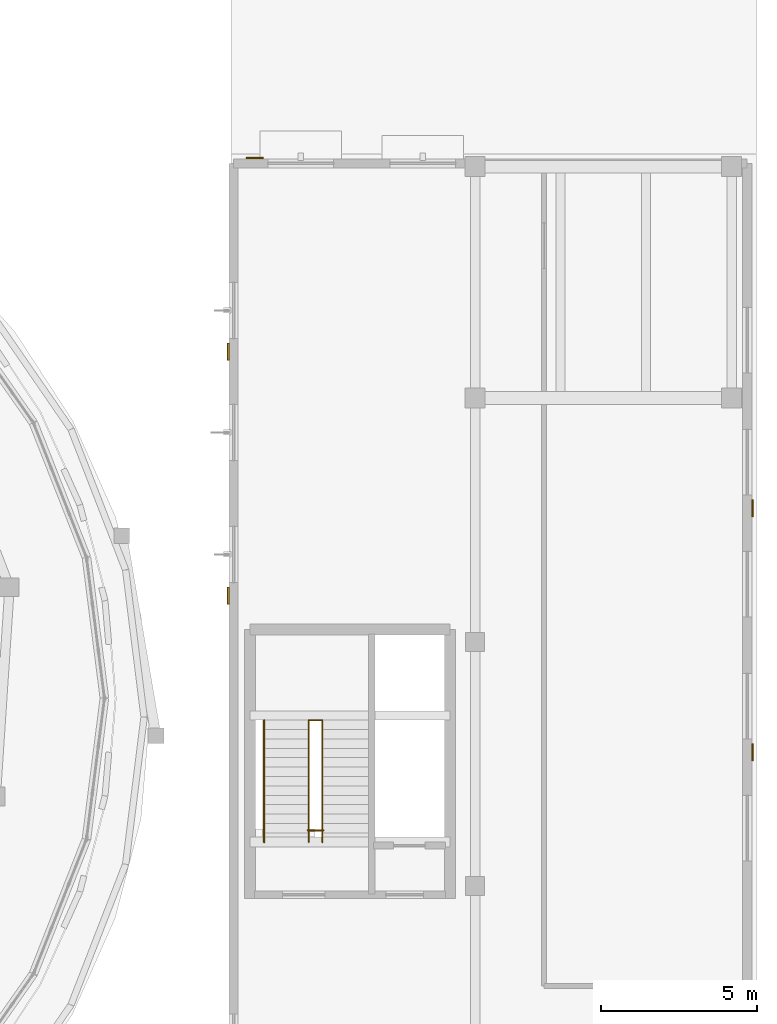
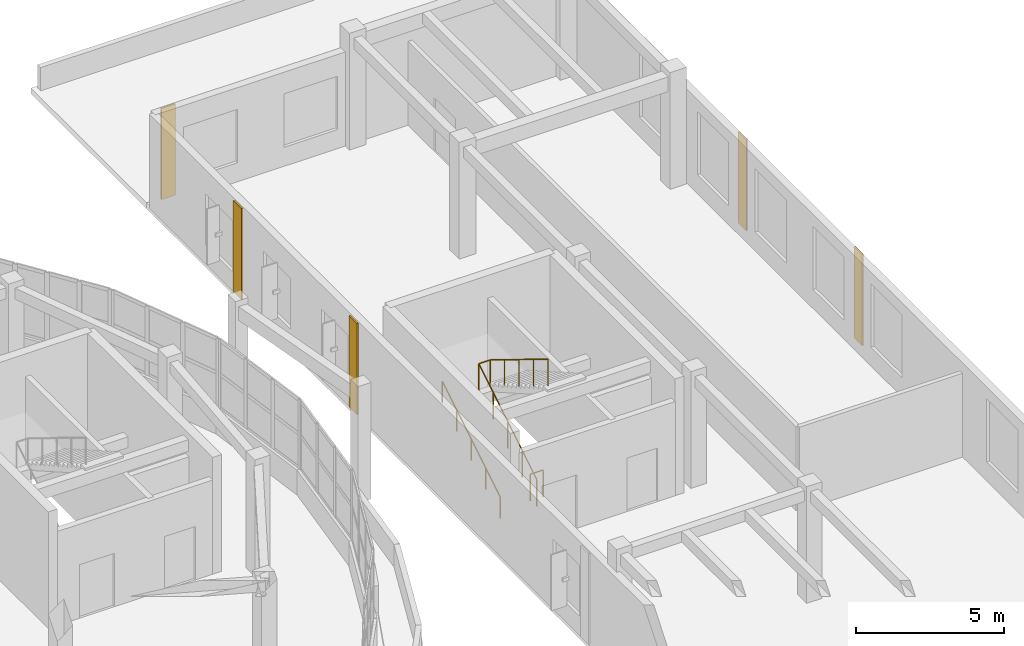
# One storey, part 69 of 69: 5 coverings, 3 railings.
"""IFC4 building model written with IfcOpenShell, lengths in metres."""

from ifc_helpers import new_model, si_unit, direction, frame, origin, origin_2d, place, context, subcontext, project, spatial, rectangle, circle, extrude, material, layer, layer_set, type_object, element, save


model = new_model("IFC4")

# Units and contexts
model_context = context("Model", 3, precision=1e-05, world=origin(), true_north=direction((0.0, 1.0)))
body_context = subcontext(model_context, "Body", "Model", "MODEL_VIEW")
ifc_project = project(units=[si_unit("LENGTHUNIT", "METRE"), si_unit("AREAUNIT", "SQUARE_METRE"), si_unit("VOLUMEUNIT", "CUBIC_METRE"), si_unit("PLANEANGLEUNIT", "RADIAN"), si_unit("MASSUNIT", "GRAM", prefix="KILO")], contexts=[model_context])

# Site, building, storey
site_placement = place(None, origin())
site = spatial("IfcSite", under=ifc_project, at=site_placement, CompositionType="ELEMENT")
building_placement = place(site_placement, origin())
building = spatial("IfcBuilding", under=site, at=building_placement, Name="Pelvatis Terrace Science Centre", CompositionType="ELEMENT")
storey_placement = place(building_placement, frame((0.0, 0.0, 15.0)))
storey = spatial("IfcBuildingStorey", under=building, at=storey_placement, Name="L03", CompositionType="ELEMENT", Elevation=15.0)

# Coverings
ifc_material_1 = material(Name="Fluted warm stone-aggregate precast facade relief panel", Category="masonry")
ifc_layer = layer(ifc_material_1, 0.054931640625)
ifc_layer_set = layer_set([ifc_layer], Name="Fluted warm stone-aggregate precast facade relief panel")
covering_type = type_object("IfcCoveringType", Name="COV-CLAD-PREC-55", PredefinedType="CLADDING", material=ifc_layer_set)
for number, where, z_axis, x_axis, name in (
    (1, (157.072509765625, 82.280029296875, 0.06005859375), (0.0, 0.0, 1.0), (1.0, 0.0, 0.0), "Classical fluted stone pilaster strip 67"),
    (2, (157.072509765625, 90.080078125, 0.06005859375), (0.0, 0.0, 1.0), (1.0, 0.0, 0.0), "Classical fluted stone pilaster strip 68"),
):
    element("IfcCovering", number, at=place(storey_placement, frame(where, z_axis=z_axis, x_axis=x_axis)), inside=storey, type_object=covering_type, Name=name, PredefinedType="CLADDING", context=body_context, shape_type="SweptSolid", body=[
        extrude(rectangle(XDim=0.054931640625, YDim=0.550048828125, at=origin_2d()), origin(), (0.0, 0.0, 1.0), 3.75),
    ])
covering_placement = place(storey_placement, frame((141.159912109375, 101.2724609375, 0.06005859375), z_axis=(0.0, 0.0, 1.0), x_axis=(1.0, 0.0, 0.0)))
element("IfcCovering", 3, at=covering_placement, inside=storey, type_object=covering_type, Name="Classical fluted stone pilaster strip 69", PredefinedType="CLADDING", context=body_context, shape_type="SweptSolid", body=[
    extrude(rectangle(XDim=0.550048828125, YDim=0.054931640625, at=origin_2d()), origin(), (0.0, 0.0, 1.0), 3.75),
])
for number, where, z_axis, x_axis, name in (
    (4, (140.3076171875, 87.280029296875, 0.06005859375), (0.0, 0.0, 1.0), (1.0, 0.0, 0.0), "Classical fluted stone pilaster strip 74"),
    (5, (140.3076171875, 95.080078125, 0.06005859375), (0.0, 0.0, 1.0), (1.0, 0.0, 0.0), "Classical fluted stone pilaster strip 75"),
):
    element("IfcCovering", number, at=place(storey_placement, frame(where, z_axis=z_axis, x_axis=x_axis)), inside=storey, type_object=covering_type, Name=name, PredefinedType="CLADDING", context=body_context, shape_type="SweptSolid", body=[
        extrude(rectangle(XDim=0.054931640625, YDim=0.550048828125, at=origin_2d()), origin(), (0.0, 0.0, 1.0), 3.75),
    ])

# Railings
ifc_material_2 = material(Name="Brushed architectural bronze tubular railing", Category="steel")
railing_type_1 = type_object("IfcRailingType", Name="RLG-GRD-1120", PredefinedType="GUARDRAIL", material=ifc_material_2)
railing_1_placement = place(storey_placement, frame((142.8798828125, 79.39990234375, 0.0)))
element("IfcRailing", 6, at=railing_1_placement, inside=storey, type_object=railing_type_1, Name="Stair ST-03-L03 inner well guardrail", PredefinedType="GUARDRAIL", context=body_context, shape_type="SweptSolid", body=[
    extrude(circle(Radius=0.02392578125, at=origin_2d()), frame((0.0, 0.0, 1.09619140625), z_axis=(0.0, 0.851676621109, 0.524067679844), x_axis=(-1.0, 0.0, 0.0)), (0.0, 0.0, 1.0), 4.579345703125),
    extrude(circle(Radius=0.02392578125, at=origin_2d()), frame((0.0, 3.900146484375, 3.49609375), z_axis=(1.0, 0.0, 0.0), x_axis=(0.0, 1.0, 0.0)), (0.0, 0.0, 1.0), 0.440185546875),
    extrude(circle(Radius=0.02392578125, at=origin_2d()), frame((0.440185546875, 3.900146484375, 3.49609375), z_axis=(0.0, -0.851652825334, 0.524106349037), x_axis=(1.0, 0.0, 0.0)), (0.0, 0.0, 1.0), 4.57958984375),
    extrude(circle(Radius=0.02099609375, at=origin_2d()), origin(), (0.0, 0.0, 1.0), 1.072021484375),
    extrude(circle(Radius=0.02099609375, at=origin_2d()), frame((0.0, 0.97509765625, 0.60009765625)), (0.0, 0.0, 1.0), 1.072021484375),
    extrude(circle(Radius=0.02099609375, at=origin_2d()), frame((0.0, 1.9501953125, 1.199951171875)), (0.0, 0.0, 1.0), 1.072021484375),
    extrude(circle(Radius=0.02099609375, at=origin_2d()), frame((0.0, 2.925048828125, 1.7998046875)), (0.0, 0.0, 1.0), 1.072021484375),
    extrude(circle(Radius=0.02099609375, at=origin_2d()), frame((0.0, 3.900146484375, 2.39990234375)), (0.0, 0.0, 1.0), 1.072021484375),
    extrude(circle(Radius=0.02099609375, at=origin_2d()), frame((0.440185546875, 3.900146484375, 2.39990234375)), (0.0, 0.0, 1.0), 1.072021484375),
    extrude(circle(Radius=0.02099609375, at=origin_2d()), frame((0.440185546875, 2.925048828125, 3.0)), (0.0, 0.0, 1.0), 1.072021484375),
    extrude(circle(Radius=0.02099609375, at=origin_2d()), frame((0.440185546875, 1.9501953125, 3.60009765625)), (0.0, 0.0, 1.0), 1.072021484375),
    extrude(circle(Radius=0.02099609375, at=origin_2d()), frame((0.440185546875, 0.97509765625, 4.199951171875)), (0.0, 0.0, 1.0), 1.072021484375),
    extrude(circle(Radius=0.02099609375, at=origin_2d()), frame((0.440185546875, 0.0, 4.800048828125)), (0.0, 0.0, 1.0), 1.072021484375),
])
railing_2_placement = place(storey_placement, frame((142.85009765625, 79.780029296875, 0.0)))
element("IfcRailing", 7, at=railing_2_placement, inside=storey, type_object=railing_type_1, Name="Core C3 landing well slot guard (L03)", PredefinedType="GUARDRAIL", context=body_context, shape_type="SweptSolid", body=[
    extrude(circle(Radius=0.02392578125, at=origin_2d()), frame((0.0, 0.0, 1.09619140625), z_axis=(1.0, 0.0, 0.0), x_axis=(0.0, 1.0, 0.0)), (0.0, 0.0, 1.0), 0.5),
    extrude(circle(Radius=0.02099609375, at=origin_2d()), origin(), (0.0, 0.0, 1.0), 1.072021484375),
    extrude(circle(Radius=0.02099609375, at=origin_2d()), frame((0.5, 0.0, 0.0)), (0.0, 0.0, 1.0), 1.072021484375),
])
ifc_material_3 = material(Name="Brushed architectural bronze tubular railing", Category="steel")
railing_type_2 = type_object("IfcRailingType", Name="RLG-HND-0900", PredefinedType="HANDRAIL", material=ifc_material_3)
railing_3_placement = place(storey_placement, frame((141.4599609375, 79.39990234375, 0.0)))
element("IfcRailing", 8, at=railing_3_placement, inside=storey, type_object=railing_type_2, Name="Stair ST-03-L03 wall handrail", PredefinedType="HANDRAIL", context=body_context, shape_type="SweptSolid", body=[
    extrude(circle(Radius=0.02392578125, at=origin_2d()), frame((0.0, 0.0, 0.8759765625), z_axis=(0.0, 0.851676621109, 0.524067679844), x_axis=(-1.0, 0.0, 0.0)), (0.0, 0.0, 1.0), 4.579345703125),
    extrude(circle(Radius=0.02099609375, at=origin_2d()), origin(), (0.0, 0.0, 1.0), 0.851806640625),
    extrude(circle(Radius=0.02099609375, at=origin_2d()), frame((0.0, 0.97509765625, 0.60009765625)), (0.0, 0.0, 1.0), 0.851806640625),
    extrude(circle(Radius=0.02099609375, at=origin_2d()), frame((0.0, 1.9501953125, 1.199951171875)), (0.0, 0.0, 1.0), 0.851806640625),
    extrude(circle(Radius=0.02099609375, at=origin_2d()), frame((0.0, 2.925048828125, 1.7998046875)), (0.0, 0.0, 1.0), 0.851806640625),
    extrude(circle(Radius=0.02099609375, at=origin_2d()), frame((0.0, 3.900146484375, 2.39990234375)), (0.0, 0.0, 1.0), 0.851806640625),
])

save(model, "model.ifc")
